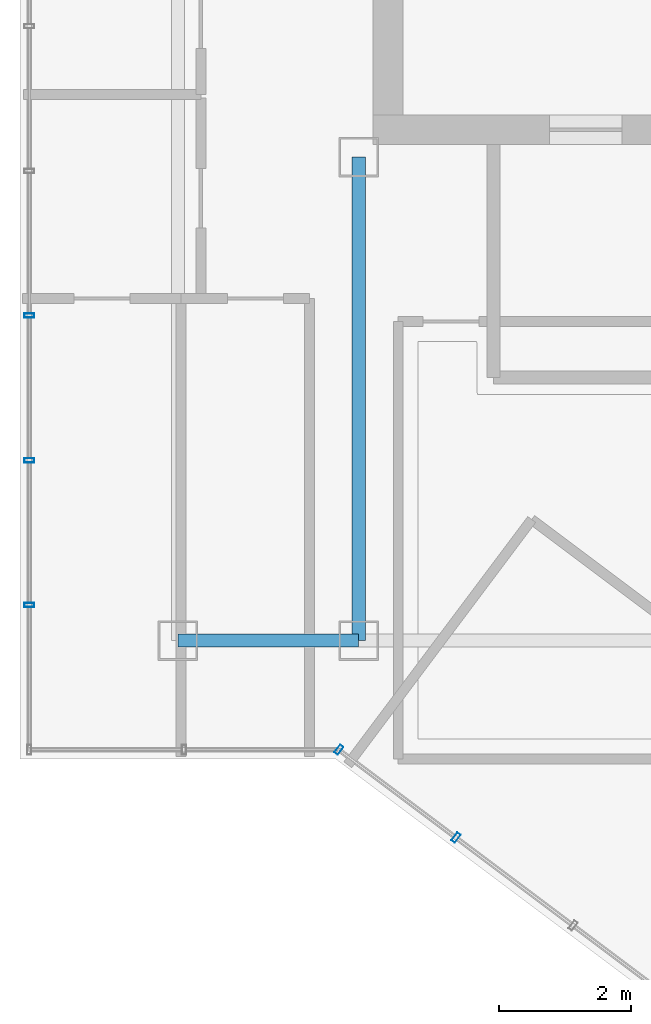
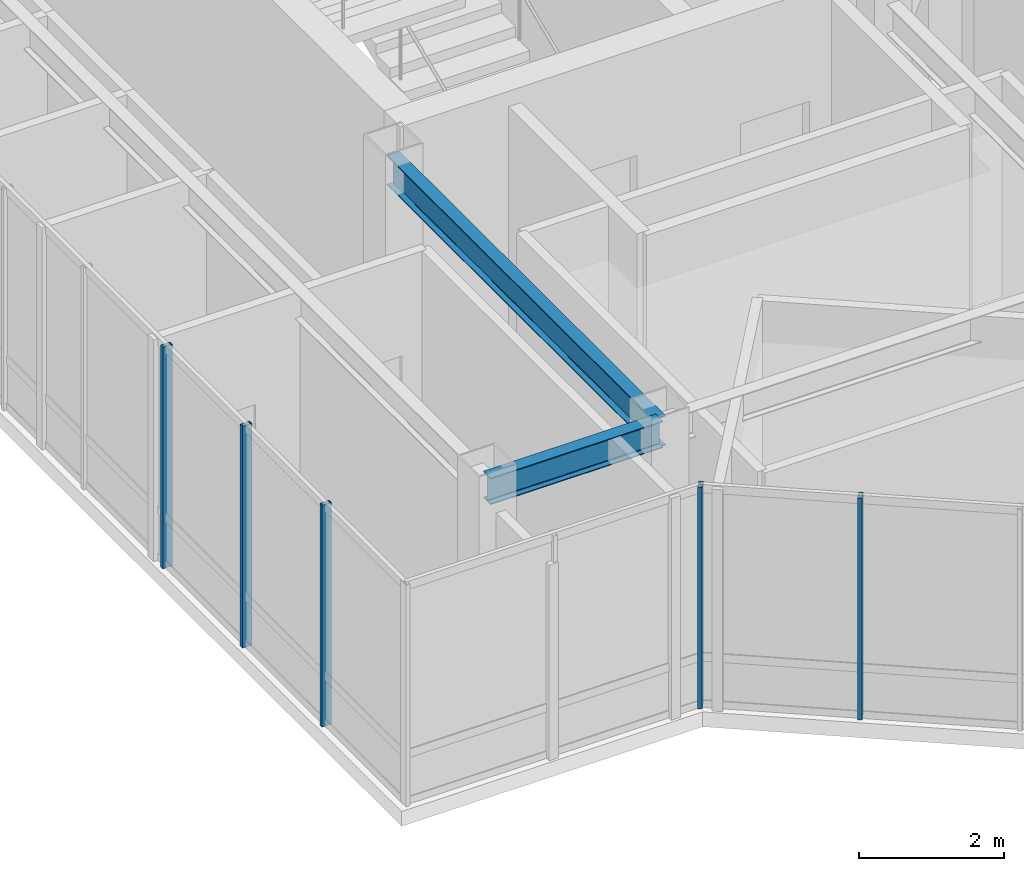
# One storey, part 5 of 29: 5 members, 2 beams, 2 elements without a shape of their own.
"""IFC4 building model written with IfcOpenShell, lengths in metres."""

from ifc_helpers import new_model, si_unit, direction, frame, origin, origin_2d, place, context, subcontext, project, spatial, hollow_rectangle, i_section, extrude, material, layer, layer_set, material_profile, profile_set, type_object, element, aggregate, save


model = new_model("IFC4")

# Units and contexts
model_context = context("Model", 3, precision=1e-05, world=origin(), true_north=direction((0.0, 1.0)))
body_context = subcontext(model_context, "Body", "Model", "MODEL_VIEW")
ifc_project = project(units=[si_unit("LENGTHUNIT", "METRE"), si_unit("AREAUNIT", "SQUARE_METRE"), si_unit("VOLUMEUNIT", "CUBIC_METRE"), si_unit("PLANEANGLEUNIT", "RADIAN"), si_unit("MASSUNIT", "GRAM", prefix="KILO")], contexts=[model_context])

# Site, building, storey
site_placement = place(None, origin())
site = spatial("IfcSite", under=ifc_project, at=site_placement, CompositionType="ELEMENT")
building_placement = place(site_placement, origin())
building = spatial("IfcBuilding", under=site, at=building_placement, Name="Hatsunagi Terrace Concourse", CompositionType="ELEMENT")
storey_placement = place(building_placement, frame((0.0, 0.0, 277.949951171875)))
storey = spatial("IfcBuildingStorey", under=building, at=storey_placement, Name="L73", CompositionType="ELEMENT", Elevation=277.949951171875)

# Beam
ifc_material_1 = material(Name="Steel SN490B", Category="steel")
ifc_material_profile_1 = material_profile(ifc_material_1, i_section(OverallWidth=0.199951171875, OverallDepth=0.5, WebThickness=0.010009765625, FlangeThickness=0.01611328125, FilletRadius=0.01611328125, at=origin_2d()), Name="H-500x200x10x16")
ifc_profile_set_1 = profile_set([ifc_material_profile_1], Name="Steel SN490B")
beam_type_1 = type_object("IfcBeamType", Name="CrownFloorGirder_H_500x200", PredefinedType="BEAM", material=ifc_profile_set_1)
beam_1_placement = place(storey_placement, frame((25.550048828125, 25.199951171875, 3.5), z_axis=(0.0, 1.0, 0.0), x_axis=(-1.0, 0.0, 0.0)))
element("IfcBeam", 1, at=beam_1_placement, inside=storey, type_object=beam_type_1, Name="Beam G-07 BM-L73-K1CA", PredefinedType="BEAM", context=body_context, shape_type="SweptSolid", body=[
    extrude(i_section(OverallWidth=0.199951171875, OverallDepth=0.5, WebThickness=0.010009765625, FlangeThickness=0.01611328125, FilletRadius=0.01611328125, at=origin_2d()), origin(), (0.0, 0.0, 1.0), 7.35009765625),
])

# Curtain wall, members
ifc_material_2 = material(Name="Anodised Aluminium Alloy 6063-T5", Category="aluminium")
ifc_layer = layer(ifc_material_2, 0.199951171875)
ifc_layer_set = layer_set([ifc_layer], Name="CrownWintergarden_CW06")
curtain_wall_type = type_object("IfcCurtainWallType", Name="CrownWintergarden_CW06", PredefinedType="NOTDEFINED", material=ifc_layer_set)
curtain_wall_1_placement = place(storey_placement, origin())
curtain_wall_1 = element("IfcCurtainWall", 2, at=curtain_wall_1_placement, inside=storey, type_object=curtain_wall_type, Name="Unitised Curtain Wall CW-06 CW-L73-05", PredefinedType="NOTDEFINED")
ifc_material_3 = material(Name="Anodised Aluminium Alloy 6063-T5", Category="aluminium")
ifc_material_profile_2 = material_profile(ifc_material_3, hollow_rectangle(XDim=0.06494140625, YDim=0.14990234375, WallThickness=0.00390625, at=origin_2d()), Name="ALU-MUL-150x65x4")
ifc_profile_set_2 = profile_set([ifc_material_profile_2], Name="Anodised Aluminium Alloy 6063-T5")
member_type = type_object("IfcMemberType", Name="CurtainWallMullion_Crown_150x65", PredefinedType="MULLION", material=ifc_profile_set_2)
member_1_placement = place(storey_placement, frame((27.029052734375, 22.2041015625, 0.0), z_axis=(0.0, 0.0, 1.0), x_axis=(-0.800007305671, 0.599990258982, 0.0)))
member_1 = element("IfcMember", 3, at=member_1_placement, type_object=member_type, Name="Curtain Wall Mullion MUL-03", PredefinedType="MULLION", context=body_context, shape_type="SweptSolid", body=[
    extrude(hollow_rectangle(XDim=0.06494140625, YDim=0.14990234375, WallThickness=0.00390625, at=origin_2d()), origin(), (0.0, 0.0, 1.0), 3.739990234375),
])
member_2_placement = place(storey_placement, frame((25.2470703125, 23.5400390625, 0.0), z_axis=(0.0, 0.0, 1.0), x_axis=(-0.800007305671, 0.599990258982, 0.0)))
member_2 = element("IfcMember", 4, at=member_2_placement, type_object=member_type, Name="Curtain Wall Mullion MUL-03", PredefinedType="MULLION", context=body_context, shape_type="SweptSolid", body=[
    extrude(hollow_rectangle(XDim=0.06494140625, YDim=0.14990234375, WallThickness=0.00390625, at=origin_2d()), origin(), (0.0, 0.0, 1.0), 3.739990234375),
])
aggregate(curtain_wall_1, [member_1, member_2])

curtain_wall_2_placement = place(storey_placement, origin())
curtain_wall_2 = element("IfcCurtainWall", 5, at=curtain_wall_2_placement, inside=storey, type_object=curtain_wall_type, Name="Unitised Curtain Wall CW-06 CW-L73-07", PredefinedType="NOTDEFINED")
member_3_placement = place(storey_placement, frame((20.5400390625, 25.739990234375, 0.0), z_axis=(0.0, 0.0, 1.0), x_axis=(0.0, 1.0, 0.0)))
member_3 = element("IfcMember", 6, at=member_3_placement, type_object=member_type, Name="Curtain Wall Mullion MUL-03", PredefinedType="MULLION", context=body_context, shape_type="SweptSolid", body=[
    extrude(hollow_rectangle(XDim=0.06494140625, YDim=0.14990234375, WallThickness=0.00390625, at=origin_2d()), origin(), (0.0, 0.0, 1.0), 3.739990234375),
])
member_4_placement = place(storey_placement, frame((20.5400390625, 27.93994140625, 0.0), z_axis=(0.0, 0.0, 1.0), x_axis=(0.0, 1.0, 0.0)))
member_4 = element("IfcMember", 7, at=member_4_placement, type_object=member_type, Name="Curtain Wall Mullion MUL-03", PredefinedType="MULLION", context=body_context, shape_type="SweptSolid", body=[
    extrude(hollow_rectangle(XDim=0.06494140625, YDim=0.14990234375, WallThickness=0.00390625, at=origin_2d()), origin(), (0.0, 0.0, 1.0), 3.739990234375),
])
member_5_placement = place(storey_placement, frame((20.5400390625, 30.14111328125, 0.0), z_axis=(0.0, 0.0, 1.0), x_axis=(0.0, 1.0, 0.0)))
member_5 = element("IfcMember", 8, at=member_5_placement, type_object=member_type, Name="Curtain Wall Mullion MUL-03", PredefinedType="MULLION", context=body_context, shape_type="SweptSolid", body=[
    extrude(hollow_rectangle(XDim=0.06494140625, YDim=0.14990234375, WallThickness=0.00390625, at=origin_2d()), origin(), (0.0, 0.0, 1.0), 3.739990234375),
])
aggregate(curtain_wall_2, [member_3, member_4, member_5])

# Beam
ifc_material_4 = material(Name="Steel SN490B", Category="steel")
ifc_material_profile_3 = material_profile(ifc_material_4, i_section(OverallWidth=0.199951171875, OverallDepth=0.449951171875, WebThickness=0.009033203125, FlangeThickness=0.013916015625, FilletRadius=0.01611328125, at=origin_2d()), Name="H-450x200x9x14")
ifc_profile_set_3 = profile_set([ifc_material_profile_3], Name="Steel SN490B")
beam_type_2 = type_object("IfcBeamType", Name="PerimeterSpandrel_H_450x200", PredefinedType="SPANDREL", material=ifc_profile_set_3)
beam_2_placement = place(storey_placement, frame((22.800048828125, 25.199951171875, 3.525146484375), z_axis=(1.0, 0.0, 0.0), x_axis=(0.0, 1.0, 0.0)))
element("IfcBeam", 9, at=beam_2_placement, inside=storey, type_object=beam_type_2, Name="Beam SP-02 BM-L73-WS-22", PredefinedType="SPANDREL", context=body_context, shape_type="SweptSolid", body=[
    extrude(i_section(OverallWidth=0.199951171875, OverallDepth=0.449951171875, WebThickness=0.009033203125, FlangeThickness=0.013916015625, FilletRadius=0.01611328125, at=origin_2d()), origin(), (0.0, 0.0, 1.0), 2.75),
])

save(model, "model.ifc")
